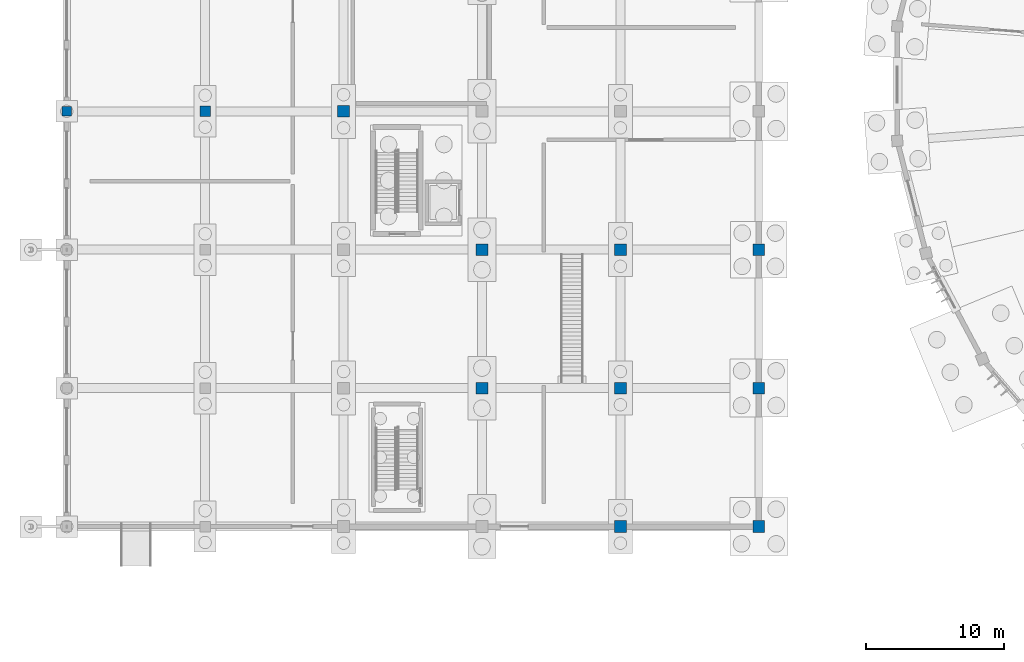
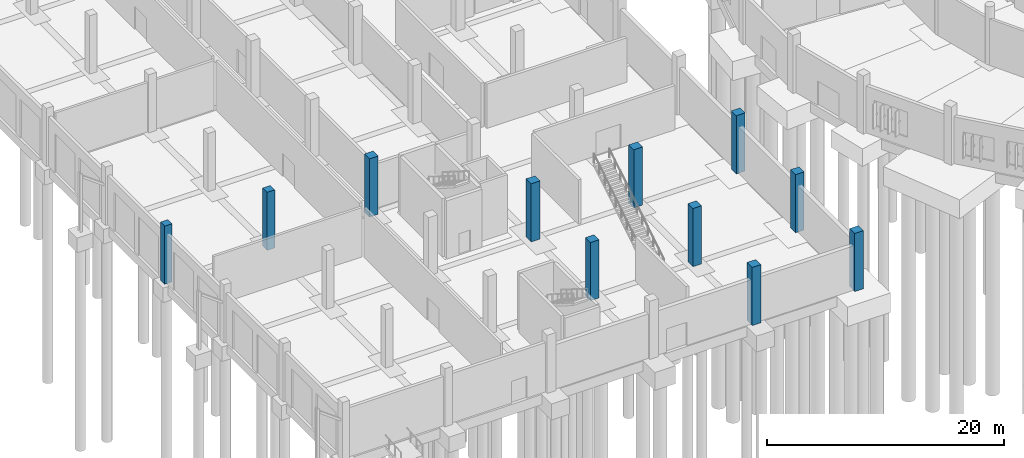
# One storey, part 15 of 140: 11 columns.
"""IFC4 building model written with IfcOpenShell, lengths in metres."""

from ifc_helpers import new_model, si_unit, direction, frame, origin, origin_2d, place, context, subcontext, project, spatial, rectangle, extrude, material, material_profile, profile_set, type_object, element, save


model = new_model("IFC4")

# Units and contexts
model_context = context("Model", 3, precision=1e-05, world=origin(), true_north=direction((0.0, 1.0)))
body_context = subcontext(model_context, "Body", "Model", "MODEL_VIEW")
ifc_project = project(units=[si_unit("LENGTHUNIT", "METRE"), si_unit("AREAUNIT", "SQUARE_METRE"), si_unit("VOLUMEUNIT", "CUBIC_METRE"), si_unit("PLANEANGLEUNIT", "RADIAN"), si_unit("MASSUNIT", "GRAM", prefix="KILO")], contexts=[model_context])

# Site, building, storey
site_placement = place(None, origin())
site = spatial("IfcSite", under=ifc_project, at=site_placement, CompositionType="ELEMENT")
building_placement = place(site_placement, origin())
building = spatial("IfcBuilding", under=site, at=building_placement, Name="Corvandel Quay Wholesale Market", CompositionType="ELEMENT")
storey_placement = place(building_placement, origin())
storey = spatial("IfcBuildingStorey", under=building, at=storey_placement, Name="L00", CompositionType="ELEMENT", Elevation=0.0)

# Columns
ifc_material = material(Name="Precast concrete C45/55", Category="concrete")
ifc_material_profile_1 = material_profile(ifc_material, rectangle(XDim=0.85009765625, YDim=0.85009765625, at=origin_2d()), Name="PC-COL-850x850")
ifc_profile_set_1 = profile_set([ifc_material_profile_1], Name="Precast concrete C45/55")
column_type_1 = type_object("IfcColumnType", Name="Precast Column C01 850x850", PredefinedType="COLUMN", material=ifc_profile_set_1)
for number, where, z_axis, x_axis, name in (
    (1, (20.0, 40.0, 0.0), (0.0, 0.0, 1.0), (1.0, 0.0, 0.0), "Column COL-0620"),
    (2, (30.0, 20.0, 0.0), (0.0, 0.0, 1.0), (1.0, 0.0, 0.0), "Column COL-0654"),
    (3, (30.0, 30.0, 0.0), (0.0, 0.0, 1.0), (1.0, 0.0, 0.0), "Column COL-0657"),
    (4, (40.0, 10.0, 0.0), (0.0, 0.0, 1.0), (1.0, 0.0, 0.0), "Column COL-0691"),
    (5, (40.0, 20.0, 0.0), (0.0, 0.0, 1.0), (1.0, 0.0, 0.0), "Column COL-0694"),
    (6, (40.0, 30.0, 0.0), (0.0, 0.0, 1.0), (1.0, 0.0, 0.0), "Column COL-0697"),
    (7, (50.0, 10.0, 0.0), (0.0, 0.0, 1.0), (1.0, 0.0, 0.0), "Column COL-0731"),
    (8, (50.0, 20.0, 0.0), (0.0, 0.0, 1.0), (1.0, 0.0, 0.0), "Column COL-0734"),
    (9, (50.0, 30.0, 0.0), (0.0, 0.0, 1.0), (1.0, 0.0, 0.0), "Column COL-0737"),
):
    element("IfcColumn", number, at=place(storey_placement, frame(where, z_axis=z_axis, x_axis=x_axis)), inside=storey, type_object=column_type_1, Name=name, PredefinedType="COLUMN", context=body_context, shape_type="SweptSolid", body=[
        extrude(rectangle(XDim=0.85009765625, YDim=0.85009765625, at=origin_2d()), origin(), (0.0, 0.0, 1.0), 6.0),
    ])
ifc_material_profile_2 = material_profile(ifc_material, rectangle(XDim=0.75, YDim=0.75, at=origin_2d()), Name="PC-COL-750x750")
ifc_profile_set_2 = profile_set([ifc_material_profile_2], Name="Precast concrete C45/55")
column_type_2 = type_object("IfcColumnType", Name="Precast Column C03 750x750", PredefinedType="COLUMN", material=ifc_profile_set_2)
column_1_placement = place(storey_placement, frame((10.0, 40.0, 0.0), z_axis=(0.0, 0.0, 1.0), x_axis=(1.0, 0.0, 0.0)))
element("IfcColumn", 10, at=column_1_placement, inside=storey, type_object=column_type_2, Name="Column COL-0603", PredefinedType="COLUMN", context=body_context, shape_type="SweptSolid", body=[
    extrude(rectangle(XDim=0.75, YDim=0.75, at=origin_2d()), origin(), (0.0, 0.0, 1.0), 6.0),
])
ifc_material_profile_3 = material_profile(ifc_material, rectangle(XDim=0.699951171875, YDim=0.699951171875, at=origin_2d()), Name="PC-COL-700x700")
ifc_profile_set_3 = profile_set([ifc_material_profile_3], Name="Precast concrete C45/55")
column_type_3 = type_object("IfcColumnType", Name="Precast Column C04 700x700", PredefinedType="COLUMN", material=ifc_profile_set_3)
column_2_placement = place(storey_placement, frame((0.0, 40.0, 0.0), z_axis=(0.0, 0.0, 1.0), x_axis=(1.0, 0.0, 0.0)))
element("IfcColumn", 11, at=column_2_placement, inside=storey, type_object=column_type_3, Name="Column COL-0592", PredefinedType="COLUMN", context=body_context, shape_type="SweptSolid", body=[
    extrude(rectangle(XDim=0.699951171875, YDim=0.699951171875, at=origin_2d()), origin(), (0.0, 0.0, 1.0), 6.0),
])

save(model, "model.ifc")
